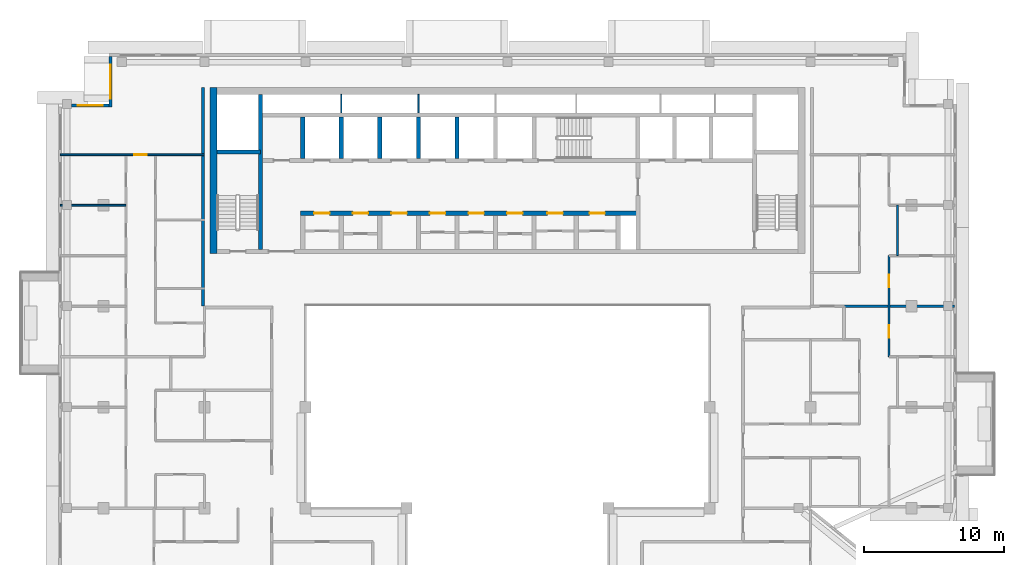
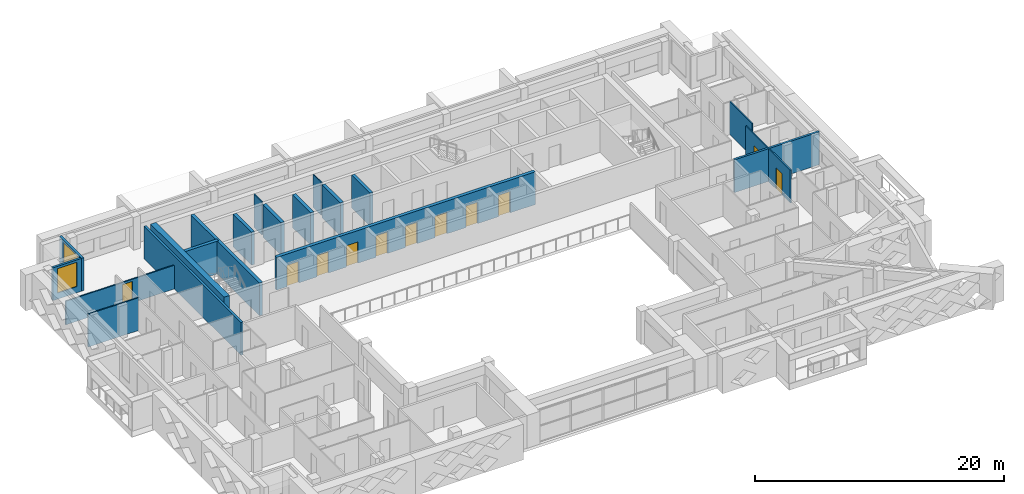
# One storey, part 10 of 19: 19 walls, 11 doors, 2 windows, 13 openings.
"""IFC4 building model written with IfcOpenShell, lengths in metres."""

from ifc_helpers import new_model, si_unit, direction, frame, frame_2d, origin, place, context, subcontext, project, spatial, rectangle, extrude, material, layer, layer_set, type_object, element, fill, save


model = new_model("IFC4")

# Units and contexts
model_context = context("Model", 3, precision=1e-05, world=origin(), true_north=direction((0.0, 1.0)))
body_context = subcontext(model_context, "Body", "Model", "MODEL_VIEW")
ifc_project = project(units=[si_unit("LENGTHUNIT", "METRE"), si_unit("AREAUNIT", "SQUARE_METRE"), si_unit("VOLUMEUNIT", "CUBIC_METRE"), si_unit("PLANEANGLEUNIT", "RADIAN"), si_unit("MASSUNIT", "GRAM", prefix="KILO")], contexts=[model_context])

# Site, building, storey
site_placement = place(None, origin())
site = spatial("IfcSite", under=ifc_project, at=site_placement, CompositionType="ELEMENT")
building_placement = place(site_placement, origin())
building = spatial("IfcBuilding", under=site, at=building_placement, Name="Saffron Iwan Residences", CompositionType="ELEMENT")
storey_placement = place(building_placement, frame((0.0, 0.0, 232.5)))
storey = spatial("IfcBuildingStorey", under=building, at=storey_placement, Name="L62", CompositionType="ELEMENT", Elevation=232.5)

# Wall, opening, window
ifc_material_1 = material(Name="Concrete C40/50", Category="concrete")
ifc_layer_1 = layer(ifc_material_1, 0.199951171875)
ifc_layer_set_1 = layer_set([ifc_layer_1], Name="Concrete C40/50")
wall_type_1 = type_object("IfcWallType", Name="EXTERNAL WALL 200", PredefinedType="SOLIDWALL", material=ifc_layer_set_1)
wall_1_placement = place(storey_placement, frame((22.10009765625, 80.199951171875, 0.0), z_axis=(0.0, 0.0, 1.0), x_axis=(0.0, -1.0, 0.0)))
wall_1 = element("IfcWall", 1, at=wall_1_placement, inside=storey, type_object=wall_type_1, Name="External wall L62 F6.0", PredefinedType="SOLIDWALL", context=body_context, shape_type="SweptSolid", body=[
    extrude(rectangle(XDim=3.599853515625, YDim=0.199951171875, at=frame_2d((1.7998046875, 0.0))), origin(), (0.0, 0.0, 1.0), 3.219970703125),
])
opening_1_placement = place(wall_1_placement, frame((0.60009765625, 0.0, 0.60009765625)))
opening_1 = element("IfcOpeningElement", 2, at=opening_1_placement, cuts=wall_1, Name="Opening W1", PredefinedType="OPENING", context=body_context, shape_type="SweptSolid", body=[
    extrude(rectangle(XDim=2.39990234375, YDim=2.39990234375, at=frame_2d((1.199951171875, 1.199951171875))), frame((0.0, 0.10986328125, 0.0), z_axis=(0.0, -1.0, 0.0), x_axis=(1.0, 0.0, 0.0)), (0.0, 0.0, 1.0), 0.219970703125),
])
ifc_material_2 = material(Name="Clear glass, laminated double glazed", Category="glass")
window_type_1 = type_object("IfcWindowType", Name="WINDOW 2400 x 2400", PartitioningType="DOUBLE_PANEL_VERTICAL", PredefinedType="WINDOW", material=ifc_material_2)
window_1_placement = place(opening_1_placement, origin())
window_1 = element("IfcWindow", 3, at=window_1_placement, inside=storey, type_object=window_type_1, Name="Window L62 F6.0", OverallHeight=2.39990234375, OverallWidth=2.39990234375, PartitioningType="DOUBLE_PANEL_VERTICAL", PredefinedType="WINDOW", context=body_context, shape_type="SweptSolid", body=[
    extrude(rectangle(XDim=2.39990234375, YDim=2.39990234375, at=frame_2d((1.199951171875, 1.199951171875))), frame((0.0, 0.030029296875, 0.0), z_axis=(0.0, -1.0, 0.0), x_axis=(1.0, 0.0, 0.0)), (0.0, 0.0, 1.0), 0.06005859375),
])
fill(opening_1, window_1)

wall_2_placement = place(storey_placement, frame((22.0, 76.699951171875, 0.0), z_axis=(0.0, 0.0, 1.0), x_axis=(-1.0, 0.0, 0.0)))
wall_2 = element("IfcWall", 4, at=wall_2_placement, inside=storey, type_object=wall_type_1, Name="External wall L62 F7.0", PredefinedType="SOLIDWALL", context=body_context, shape_type="SweptSolid", body=[
    extrude(rectangle(XDim=2.675048828125, YDim=0.199951171875, at=frame_2d((1.33740234375, 0.0))), origin(), (0.0, 0.0, 1.0), 3.219970703125),
])
opening_2_placement = place(wall_2_placement, frame((0.4375, 0.0, 0.60009765625)))
opening_2 = element("IfcOpeningElement", 5, at=opening_2_placement, cuts=wall_2, Name="Opening W8", PredefinedType="OPENING", context=body_context, shape_type="SweptSolid", body=[
    extrude(rectangle(XDim=1.800048828125, YDim=2.39990234375, at=frame_2d((0.89990234375, 1.199951171875))), frame((0.0, 0.10986328125, 0.0), z_axis=(0.0, -1.0, 0.0), x_axis=(1.0, 0.0, 0.0)), (0.0, 0.0, 1.0), 0.219970703125),
])
window_type_2 = type_object("IfcWindowType", Name="WINDOW 1800 x 2400", PartitioningType="DOUBLE_PANEL_VERTICAL", PredefinedType="WINDOW", material=ifc_material_2)
window_2_placement = place(opening_2_placement, origin())
window_2 = element("IfcWindow", 6, at=window_2_placement, inside=storey, type_object=window_type_2, Name="Window L62 F7.0", OverallHeight=2.39990234375, OverallWidth=1.800048828125, PartitioningType="DOUBLE_PANEL_VERTICAL", PredefinedType="WINDOW", context=body_context, shape_type="SweptSolid", body=[
    extrude(rectangle(XDim=1.800048828125, YDim=2.39990234375, at=frame_2d((0.89990234375, 1.199951171875))), frame((0.0, 0.030029296875, 0.0), z_axis=(0.0, -1.0, 0.0), x_axis=(1.0, 0.0, 0.0)), (0.0, 0.0, 1.0), 0.06005859375),
])
fill(opening_2, window_2)

# Walls
ifc_material_3 = material(Name="Fire-rated gypsum board wall")
ifc_layer_2 = layer(ifc_material_3, 0.199951171875)
ifc_layer_set_2 = layer_set([ifc_layer_2], Name="Fire-rated gypsum board wall")
wall_type_2 = type_object("IfcWallType", Name="Flat demising wall 200", PredefinedType="SOLIDWALL", material=ifc_layer_set_2)
wall_3_placement = place(storey_placement, frame((74.39990234375, 62.39990234375, 0.0), z_axis=(0.0, 0.0, 1.0), x_axis=(1.0, 0.0, 0.0)))
element("IfcWall", 7, at=wall_3_placement, inside=storey, type_object=wall_type_2, Name="W-L62-DEMISE-h62.4-74.4", PredefinedType="SOLIDWALL", context=body_context, shape_type="SweptSolid", body=[
    extrude(rectangle(XDim=7.875, YDim=0.199951171875, at=frame_2d((3.9375, 0.0))), origin(), (0.0, 0.0, 1.0), 3.219970703125),
])
ifc_material_4 = material(Name="Gypsum board partition")
ifc_layer_3 = layer(ifc_material_4, 0.1201171875)
ifc_layer_set_3 = layer_set([ifc_layer_3], Name="Gypsum board partition")
wall_type_3 = type_object("IfcWallType", Name="Flat partition 120", PredefinedType="PARTITIONING", material=ifc_layer_set_3)
wall_4_placement = place(storey_placement, frame((18.52490234375, 69.60009765625, 0.0), z_axis=(0.0, 0.0, 1.0), x_axis=(1.0, 0.0, 0.0)))
element("IfcWall", 8, at=wall_4_placement, inside=storey, type_object=wall_type_3, Name="W-L62-PART-h69.6-18.525", PredefinedType="PARTITIONING", context=body_context, shape_type="SweptSolid", body=[
    extrude(rectangle(XDim=4.675048828125, YDim=0.1201171875, at=frame_2d((2.33740234375, 0.0))), origin(), (0.0, 0.0, 1.0), 3.219970703125),
])

# Wall, opening, door
wall_5_placement = place(storey_placement, frame((18.52490234375, 73.199951171875, 0.0), z_axis=(0.0, 0.0, 1.0), x_axis=(1.0, 0.0, 0.0)))
wall_5 = element("IfcWall", 9, at=wall_5_placement, inside=storey, type_object=wall_type_3, Name="W-L62-PART-h73.2-18.525", PredefinedType="PARTITIONING", context=body_context, shape_type="SweptSolid", body=[
    extrude(rectangle(XDim=10.275146484375, YDim=0.1201171875, at=frame_2d((5.1376953125, 0.0))), origin(), (0.0, 0.0, 1.0), 2.320068359375),
])
opening_3_placement = place(wall_5_placement, frame((5.27490234375, 0.0, 0.0)))
opening_3 = element("IfcOpeningElement", 10, at=opening_3_placement, cuts=wall_5, Name="Opening FD2", PredefinedType="OPENING", context=body_context, shape_type="SweptSolid", body=[
    extrude(rectangle(XDim=0.89990234375, YDim=2.10009765625, at=frame_2d((0.449951171875, 1.050048828125))), frame((0.0, 0.070068359375, 0.0), z_axis=(0.0, -1.0, 0.0), x_axis=(1.0, 0.0, 0.0)), (0.0, 0.0, 1.0), 0.14013671875),
])
ifc_material_5 = material(Name="Timber door", Category="wood")
door_type_1 = type_object("IfcDoorType", Name="Flat door 900", OperationType="NOTDEFINED", PredefinedType="DOOR", material=ifc_material_5)
door_1_placement = place(opening_3_placement, origin())
door_1 = element("IfcDoor", 11, at=door_1_placement, inside=storey, type_object=door_type_1, Name="Door L62-029", OperationType="SINGLE_SWING_RIGHT", OverallHeight=2.10009765625, OverallWidth=0.89990234375, PredefinedType="DOOR", context=body_context, shape_type="SweptSolid", body=[
    extrude(rectangle(XDim=0.89990234375, YDim=2.10009765625, at=frame_2d((0.449951171875, 1.050048828125))), frame((0.0, 0.02490234375, 0.0), z_axis=(0.0, -1.0, 0.0), x_axis=(1.0, 0.0, 0.0)), (0.0, 0.0, 1.0), 0.050048828125),
])
fill(opening_3, door_1)

# Wall, openings, doors
wall_6_placement = place(storey_placement, frame((77.60009765625, 58.800048828125, 0.0), z_axis=(0.0, 0.0, 1.0), x_axis=(0.0, 1.0, 0.0)))
wall_6 = element("IfcWall", 12, at=wall_6_placement, inside=storey, type_object=wall_type_3, Name="W-L62-PART-v77.6-58.8", PredefinedType="PARTITIONING", context=body_context, shape_type="SweptSolid", body=[
    extrude(rectangle(XDim=7.199951171875, YDim=0.1201171875, at=frame_2d((3.60009765625, 0.0))), origin(), (0.0, 0.0, 1.0), 3.219970703125),
])
opening_4_placement = place(wall_6_placement, frame((1.35009765625, 0.0, 0.0)))
opening_4 = element("IfcOpeningElement", 13, at=opening_4_placement, cuts=wall_6, Name="Opening FD2", PredefinedType="OPENING", context=body_context, shape_type="SweptSolid", body=[
    extrude(rectangle(XDim=0.89990234375, YDim=2.10009765625, at=frame_2d((0.449951171875, 1.050048828125))), frame((0.0, 0.070068359375, 0.0), z_axis=(0.0, -1.0, 0.0), x_axis=(1.0, 0.0, 0.0)), (0.0, 0.0, 1.0), 0.14013671875),
])
opening_5_placement = place(wall_6_placement, frame((4.949951171875, 0.0, 0.0)))
opening_5 = element("IfcOpeningElement", 14, at=opening_5_placement, cuts=wall_6, Name="Opening FD2", PredefinedType="OPENING", context=body_context, shape_type="SweptSolid", body=[
    extrude(rectangle(XDim=0.89990234375, YDim=2.10009765625, at=frame_2d((0.449951171875, 1.050048828125))), frame((0.0, 0.070068359375, 0.0), z_axis=(0.0, -1.0, 0.0), x_axis=(1.0, 0.0, 0.0)), (0.0, 0.0, 1.0), 0.14013671875),
])
door_2_placement = place(opening_4_placement, origin())
door_2 = element("IfcDoor", 15, at=door_2_placement, inside=storey, type_object=door_type_1, Name="Door L62-016", OperationType="SINGLE_SWING_LEFT", OverallHeight=2.10009765625, OverallWidth=0.89990234375, PredefinedType="DOOR", context=body_context, shape_type="SweptSolid", body=[
    extrude(rectangle(XDim=0.89990234375, YDim=2.10009765625, at=frame_2d((0.449951171875, 1.050048828125))), frame((0.0, 0.02490234375, 0.0), z_axis=(0.0, -1.0, 0.0), x_axis=(1.0, 0.0, 0.0)), (0.0, 0.0, 1.0), 0.050048828125),
])
fill(opening_4, door_2)
door_3_placement = place(opening_5_placement, origin())
door_3 = element("IfcDoor", 16, at=door_3_placement, inside=storey, type_object=door_type_1, Name="Door L62-035", OperationType="SINGLE_SWING_RIGHT", OverallHeight=2.10009765625, OverallWidth=0.89990234375, PredefinedType="DOOR", context=body_context, shape_type="SweptSolid", body=[
    extrude(rectangle(XDim=0.89990234375, YDim=2.10009765625, at=frame_2d((0.449951171875, 1.050048828125))), frame((0.0, 0.02490234375, 0.0), z_axis=(0.0, -1.0, 0.0), x_axis=(1.0, 0.0, 0.0)), (0.0, 0.0, 1.0), 0.050048828125),
])
fill(opening_5, door_3)

# Walls
wall_7_placement = place(storey_placement, frame((78.199951171875, 66.0, 0.0), z_axis=(0.0, 0.0, 1.0), x_axis=(0.0, 1.0, 0.0)))
element("IfcWall", 17, at=wall_7_placement, inside=storey, type_object=wall_type_3, Name="W-L62-PART-v78.2-66", PredefinedType="PARTITIONING", context=body_context, shape_type="SweptSolid", body=[
    extrude(rectangle(XDim=3.60009765625, YDim=0.1201171875, at=frame_2d((1.800048828125, 0.0))), origin(), (0.0, 0.0, 1.0), 3.219970703125),
])
ifc_layer_4 = layer(ifc_material_3, 0.199951171875)
ifc_layer_set_4 = layer_set([ifc_layer_4], Name="Fire-rated gypsum board wall")
wall_type_4 = type_object("IfcWallType", Name="Gallery wall 200", PredefinedType="SOLIDWALL", material=ifc_layer_set_4)
wall_8_placement = place(storey_placement, frame((28.699951171875, 62.39990234375, 0.0), z_axis=(0.0, 0.0, 1.0), x_axis=(0.0, 1.0, 0.0)))
element("IfcWall", 18, at=wall_8_placement, inside=storey, type_object=wall_type_4, Name="W-L62-CORR-v28.8-62.4", PredefinedType="SOLIDWALL", context=body_context, shape_type="SweptSolid", body=[
    extrude(rectangle(XDim=15.60009765625, YDim=0.199951171875, at=frame_2d((7.800048828125, 0.0))), origin(), (0.0, 0.0, 1.0), 3.219970703125),
])
ifc_material_6 = material(Name="Fire-rated plasterboard partition")
ifc_layer_5 = layer(ifc_material_6, 0.10009765625)
ifc_layer_set_5 = layer_set([ifc_layer_5], Name="Fire-rated plasterboard partition")
wall_type_5 = type_object("IfcWallType", Name="Riser partition 100", PredefinedType="PARTITIONING", material=ifc_layer_set_5)
for number, where, z_axis, x_axis, name in (
    (19, (38.550048828125, 76.175048828125, 0.0), (0.0, 0.0, 1.0), (0.0, 1.0, 0.0), "Core partition P08"),
    (20, (44.050048828125, 76.175048828125, 0.0), (0.0, 0.0, 1.0), (0.0, 1.0, 0.0), "Core partition P09"),
):
    element("IfcWall", number, at=place(storey_placement, frame(where, z_axis=z_axis, x_axis=x_axis)), inside=storey, type_object=wall_type_5, Name=name, PredefinedType="PARTITIONING", context=body_context, shape_type="SweptSolid", body=[
        extrude(rectangle(XDim=1.324951171875, YDim=0.10009765625, at=frame_2d((0.66259765625, 0.0))), origin(), (0.0, 0.0, 1.0), 3.219970703125),
    ])

# Wall, openings, doors
ifc_layer_6 = layer(ifc_material_1, 0.300048828125)
ifc_layer_set_6 = layer_set([ifc_layer_6], Name="Concrete C40/50")
wall_type_6 = type_object("IfcWallType", Name="WALL CORE 300 C40/50 3220 HIGH", PredefinedType="SHEAR", material=ifc_layer_set_6)
wall_9_placement = place(storey_placement, frame((35.64990234375, 69.02490234375, 0.0), z_axis=(0.0, 0.0, 1.0), x_axis=(1.0, 0.0, 0.0)))
wall_9 = element("IfcWall", 21, at=wall_9_placement, inside=storey, type_object=wall_type_6, Name="Core wall", PredefinedType="SHEAR", context=body_context, shape_type="SweptSolid", body=[
    extrude(rectangle(XDim=24.050048828125, YDim=0.300048828125, at=frame_2d((12.02490234375, 0.0))), origin(), (0.0, 0.0, 1.0), 3.219970703125),
])
opening_6_placement = place(wall_9_placement, frame((0.97509765625, 0.0, 0.0)))
opening_6 = element("IfcOpeningElement", 22, at=opening_6_placement, cuts=wall_9, Name="Opening SR", PredefinedType="OPENING", context=body_context, shape_type="SweptSolid", body=[
    extrude(rectangle(XDim=1.10009765625, YDim=2.10009765625, at=frame_2d((0.550048828125, 1.050048828125))), frame((0.0, 0.16015625, 0.0), z_axis=(0.0, -1.0, 0.0), x_axis=(1.0, 0.0, 0.0)), (0.0, 0.0, 1.0), 0.320068359375),
])
opening_7_placement = place(wall_9_placement, frame((3.72509765625, 0.0, 0.0)))
opening_7 = element("IfcOpeningElement", 23, at=opening_7_placement, cuts=wall_9, Name="Opening SR", PredefinedType="OPENING", context=body_context, shape_type="SweptSolid", body=[
    extrude(rectangle(XDim=1.10009765625, YDim=2.10009765625, at=frame_2d((0.550048828125, 1.050048828125))), frame((0.0, 0.16015625, 0.0), z_axis=(0.0, -1.0, 0.0), x_axis=(1.0, 0.0, 0.0)), (0.0, 0.0, 1.0), 0.320068359375),
])
opening_8_placement = place(wall_9_placement, frame((6.47509765625, 0.0, 0.0)))
opening_8 = element("IfcOpeningElement", 24, at=opening_8_placement, cuts=wall_9, Name="Opening SR", PredefinedType="OPENING", context=body_context, shape_type="SweptSolid", body=[
    extrude(rectangle(XDim=1.10009765625, YDim=2.10009765625, at=frame_2d((0.550048828125, 1.050048828125))), frame((0.0, 0.16015625, 0.0), z_axis=(0.0, -1.0, 0.0), x_axis=(1.0, 0.0, 0.0)), (0.0, 0.0, 1.0), 0.320068359375),
])
opening_9_placement = place(wall_9_placement, frame((9.22509765625, 0.0, 0.0)))
opening_9 = element("IfcOpeningElement", 25, at=opening_9_placement, cuts=wall_9, Name="Opening SR", PredefinedType="OPENING", context=body_context, shape_type="SweptSolid", body=[
    extrude(rectangle(XDim=1.10009765625, YDim=2.10009765625, at=frame_2d((0.550048828125, 1.050048828125))), frame((0.0, 0.16015625, 0.0), z_axis=(0.0, -1.0, 0.0), x_axis=(1.0, 0.0, 0.0)), (0.0, 0.0, 1.0), 0.320068359375),
])
opening_10_placement = place(wall_9_placement, frame((11.97509765625, 0.0, 0.0)))
opening_10 = element("IfcOpeningElement", 26, at=opening_10_placement, cuts=wall_9, Name="Opening SR", PredefinedType="OPENING", context=body_context, shape_type="SweptSolid", body=[
    extrude(rectangle(XDim=1.10009765625, YDim=2.10009765625, at=frame_2d((0.550048828125, 1.050048828125))), frame((0.0, 0.16015625, 0.0), z_axis=(0.0, -1.0, 0.0), x_axis=(1.0, 0.0, 0.0)), (0.0, 0.0, 1.0), 0.320068359375),
])
opening_11_placement = place(wall_9_placement, frame((14.72509765625, 0.0, 0.0)))
opening_11 = element("IfcOpeningElement", 27, at=opening_11_placement, cuts=wall_9, Name="Opening SR", PredefinedType="OPENING", context=body_context, shape_type="SweptSolid", body=[
    extrude(rectangle(XDim=1.10009765625, YDim=2.10009765625, at=frame_2d((0.550048828125, 1.050048828125))), frame((0.0, 0.16015625, 0.0), z_axis=(0.0, -1.0, 0.0), x_axis=(1.0, 0.0, 0.0)), (0.0, 0.0, 1.0), 0.320068359375),
])
opening_12_placement = place(wall_9_placement, frame((17.60009765625, 0.0, 0.0)))
opening_12 = element("IfcOpeningElement", 28, at=opening_12_placement, cuts=wall_9, Name="Opening SR", PredefinedType="OPENING", context=body_context, shape_type="SweptSolid", body=[
    extrude(rectangle(XDim=1.10009765625, YDim=2.10009765625, at=frame_2d((0.550048828125, 1.050048828125))), frame((0.0, 0.16015625, 0.0), z_axis=(0.0, -1.0, 0.0), x_axis=(1.0, 0.0, 0.0)), (0.0, 0.0, 1.0), 0.320068359375),
])
opening_13_placement = place(wall_9_placement, frame((20.60009765625, 0.0, 0.0)))
opening_13 = element("IfcOpeningElement", 29, at=opening_13_placement, cuts=wall_9, Name="Opening SR", PredefinedType="OPENING", context=body_context, shape_type="SweptSolid", body=[
    extrude(rectangle(XDim=1.10009765625, YDim=2.10009765625, at=frame_2d((0.550048828125, 1.050048828125))), frame((0.0, 0.16015625, 0.0), z_axis=(0.0, -1.0, 0.0), x_axis=(1.0, 0.0, 0.0)), (0.0, 0.0, 1.0), 0.320068359375),
])
ifc_material_7 = material(Name="Steel fire door", Category="steel")
door_type_2 = type_object("IfcDoorType", Name="Service door 1100", OperationType="NOTDEFINED", PredefinedType="DOOR", material=ifc_material_7)
door_4_placement = place(opening_6_placement, origin())
door_4 = element("IfcDoor", 30, at=door_4_placement, inside=storey, type_object=door_type_2, Name="Door Switch room", OperationType="SINGLE_SWING_RIGHT", OverallHeight=2.10009765625, OverallWidth=1.10009765625, PredefinedType="DOOR", context=body_context, shape_type="SweptSolid", body=[
    extrude(rectangle(XDim=1.10009765625, YDim=2.10009765625, at=frame_2d((0.550048828125, 1.050048828125))), frame((0.0, 0.02490234375, 0.0), z_axis=(0.0, -1.0, 0.0), x_axis=(1.0, 0.0, 0.0)), (0.0, 0.0, 1.0), 0.050048828125),
])
fill(opening_6, door_4)
door_5_placement = place(opening_7_placement, origin())
door_5 = element("IfcDoor", 31, at=door_5_placement, inside=storey, type_object=door_type_2, Name="Door Furniture store", OperationType="SINGLE_SWING_LEFT", OverallHeight=2.10009765625, OverallWidth=1.10009765625, PredefinedType="DOOR", context=body_context, shape_type="SweptSolid", body=[
    extrude(rectangle(XDim=1.10009765625, YDim=2.10009765625, at=frame_2d((0.550048828125, 1.050048828125))), frame((0.0, 0.02490234375, 0.0), z_axis=(0.0, -1.0, 0.0), x_axis=(1.0, 0.0, 0.0)), (0.0, 0.0, 1.0), 0.050048828125),
])
fill(opening_7, door_5)
door_6_placement = place(opening_8_placement, origin())
door_6 = element("IfcDoor", 32, at=door_6_placement, inside=storey, type_object=door_type_2, Name="Door Housekeeping store", OperationType="SINGLE_SWING_RIGHT", OverallHeight=2.10009765625, OverallWidth=1.10009765625, PredefinedType="DOOR", context=body_context, shape_type="SweptSolid", body=[
    extrude(rectangle(XDim=1.10009765625, YDim=2.10009765625, at=frame_2d((0.550048828125, 1.050048828125))), frame((0.0, 0.02490234375, 0.0), z_axis=(0.0, -1.0, 0.0), x_axis=(1.0, 0.0, 0.0)), (0.0, 0.0, 1.0), 0.050048828125),
])
fill(opening_8, door_6)
door_7_placement = place(opening_9_placement, origin())
door_7 = element("IfcDoor", 33, at=door_7_placement, inside=storey, type_object=door_type_2, Name="Door Cleaner's store", OperationType="SINGLE_SWING_LEFT", OverallHeight=2.10009765625, OverallWidth=1.10009765625, PredefinedType="DOOR", context=body_context, shape_type="SweptSolid", body=[
    extrude(rectangle(XDim=1.10009765625, YDim=2.10009765625, at=frame_2d((0.550048828125, 1.050048828125))), frame((0.0, 0.02490234375, 0.0), z_axis=(0.0, -1.0, 0.0), x_axis=(1.0, 0.0, 0.0)), (0.0, 0.0, 1.0), 0.050048828125),
])
fill(opening_9, door_7)
door_8_placement = place(opening_10_placement, origin())
door_8 = element("IfcDoor", 34, at=door_8_placement, inside=storey, type_object=door_type_2, Name="Door Trolley store", OperationType="SINGLE_SWING_RIGHT", OverallHeight=2.10009765625, OverallWidth=1.10009765625, PredefinedType="DOOR", context=body_context, shape_type="SweptSolid", body=[
    extrude(rectangle(XDim=1.10009765625, YDim=2.10009765625, at=frame_2d((0.550048828125, 1.050048828125))), frame((0.0, 0.02490234375, 0.0), z_axis=(0.0, -1.0, 0.0), x_axis=(1.0, 0.0, 0.0)), (0.0, 0.0, 1.0), 0.050048828125),
])
fill(opening_10, door_8)
door_9_placement = place(opening_11_placement, origin())
door_9 = element("IfcDoor", 35, at=door_9_placement, inside=storey, type_object=door_type_2, Name="Door Communications room", OperationType="SINGLE_SWING_LEFT", OverallHeight=2.10009765625, OverallWidth=1.10009765625, PredefinedType="DOOR", context=body_context, shape_type="SweptSolid", body=[
    extrude(rectangle(XDim=1.10009765625, YDim=2.10009765625, at=frame_2d((0.550048828125, 1.050048828125))), frame((0.0, 0.02490234375, 0.0), z_axis=(0.0, -1.0, 0.0), x_axis=(1.0, 0.0, 0.0)), (0.0, 0.0, 1.0), 0.050048828125),
])
fill(opening_11, door_9)
door_10_placement = place(opening_12_placement, origin())
door_10 = element("IfcDoor", 36, at=door_10_placement, inside=storey, type_object=door_type_2, Name="Door Refuse store", OperationType="SINGLE_SWING_RIGHT", OverallHeight=2.10009765625, OverallWidth=1.10009765625, PredefinedType="DOOR", context=body_context, shape_type="SweptSolid", body=[
    extrude(rectangle(XDim=1.10009765625, YDim=2.10009765625, at=frame_2d((0.550048828125, 1.050048828125))), frame((0.0, 0.02490234375, 0.0), z_axis=(0.0, -1.0, 0.0), x_axis=(1.0, 0.0, 0.0)), (0.0, 0.0, 1.0), 0.050048828125),
])
fill(opening_12, door_10)
door_11_placement = place(opening_13_placement, origin())
door_11 = element("IfcDoor", 37, at=door_11_placement, inside=storey, type_object=door_type_2, Name="Door Maintenance store", OperationType="SINGLE_SWING_RIGHT", OverallHeight=2.10009765625, OverallWidth=1.10009765625, PredefinedType="DOOR", context=body_context, shape_type="SweptSolid", body=[
    extrude(rectangle(XDim=1.10009765625, YDim=2.10009765625, at=frame_2d((0.550048828125, 1.050048828125))), frame((0.0, 0.02490234375, 0.0), z_axis=(0.0, -1.0, 0.0), x_axis=(1.0, 0.0, 0.0)), (0.0, 0.0, 1.0), 0.050048828125),
])
fill(opening_13, door_11)

# Walls
wall_10_placement = place(storey_placement, frame((29.699951171875, 73.39990234375, 0.0), z_axis=(0.0, 0.0, 1.0), x_axis=(1.0, 0.0, 0.0)))
element("IfcWall", 38, at=wall_10_placement, inside=storey, type_object=wall_type_6, Name="Core wall", PredefinedType="SHEAR", context=body_context, shape_type="SweptSolid", body=[
    extrude(rectangle(XDim=3.10009765625, YDim=0.300048828125, at=frame_2d((1.550048828125, 0.0))), origin(), (0.0, 0.0, 1.0), 3.219970703125),
])
wall_11_placement = place(storey_placement, frame((32.800048828125, 66.449951171875, 0.0), z_axis=(0.0, 0.0, 1.0), x_axis=(0.0, 1.0, 0.0)))
element("IfcWall", 39, at=wall_11_placement, inside=storey, type_object=wall_type_6, Name="Core wall", PredefinedType="SHEAR", context=body_context, shape_type="SweptSolid", body=[
    extrude(rectangle(XDim=11.050048828125, YDim=0.300048828125, at=frame_2d((5.52490234375, 0.0))), origin(), (0.0, 0.0, 1.0), 3.219970703125),
])
for number, where, z_axis, x_axis, name in (
    (40, (35.800048828125, 72.925048828125, 0.0), (0.0, 0.0, 1.0), (0.0, 1.0, 0.0), "Core wall"),
    (41, (38.550048828125, 72.925048828125, 0.0), (0.0, 0.0, 1.0), (0.0, 1.0, 0.0), "Core wall"),
    (42, (41.300048828125, 72.925048828125, 0.0), (0.0, 0.0, 1.0), (0.0, 1.0, 0.0), "Core wall"),
    (43, (44.050048828125, 72.925048828125, 0.0), (0.0, 0.0, 1.0), (0.0, 1.0, 0.0), "Core wall"),
    (44, (46.800048828125, 72.925048828125, 0.0), (0.0, 0.0, 1.0), (0.0, 1.0, 0.0), "Core wall"),
):
    element("IfcWall", number, at=place(storey_placement, frame(where, z_axis=z_axis, x_axis=x_axis)), inside=storey, type_object=wall_type_6, Name=name, PredefinedType="SHEAR", context=body_context, shape_type="SweptSolid", body=[
        extrude(rectangle(XDim=2.949951171875, YDim=0.300048828125, at=frame_2d((1.47509765625, 0.0))), origin(), (0.0, 0.0, 1.0), 3.219970703125),
    ])
ifc_layer_7 = layer(ifc_material_1, 0.5)
ifc_layer_set_7 = layer_set([ifc_layer_7], Name="Concrete C40/50")
wall_type_7 = type_object("IfcWallType", Name="WALL CORE 500 C40/50 3220 HIGH", PredefinedType="SHEAR", material=ifc_layer_set_7)
wall_12_placement = place(storey_placement, frame((29.449951171875, 66.14990234375, 0.0), z_axis=(0.0, 0.0, 1.0), x_axis=(0.0, 1.0, 0.0)))
element("IfcWall", 45, at=wall_12_placement, inside=storey, type_object=wall_type_7, Name="Core wall", PredefinedType="SHEAR", context=body_context, shape_type="SweptSolid", body=[
    extrude(rectangle(XDim=11.85009765625, YDim=0.5, at=frame_2d((5.925048828125, 0.0))), origin(), (0.0, 0.0, 1.0), 3.219970703125),
])

save(model, "model.ifc")
